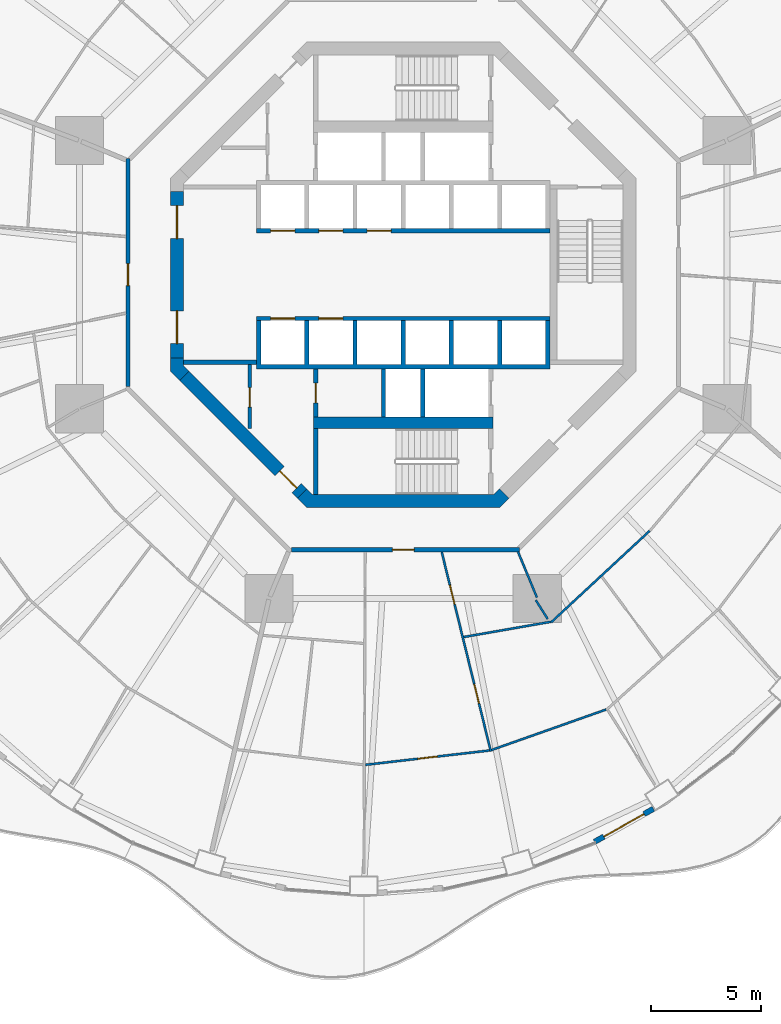
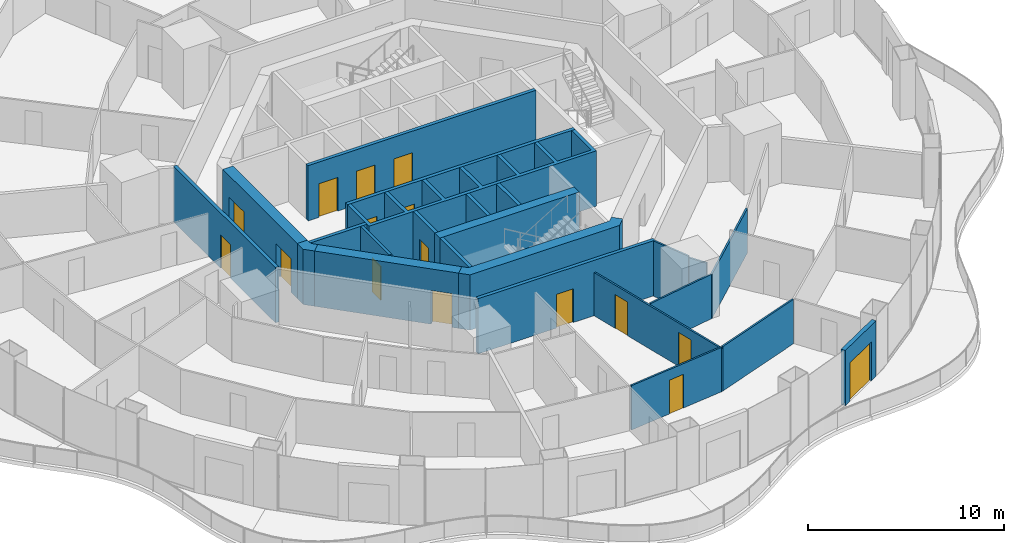
# One storey, part 15 of 22: 24 walls, 16 doors, 16 openings.
"""IFC4 building model written with IfcOpenShell, lengths in metres."""

from ifc_helpers import new_model, si_unit, direction, frame, frame_2d, origin, place, context, subcontext, project, spatial, polyline, rectangle, outline, extrude, material, layer, layer_set, type_object, element, fill, save


model = new_model("IFC4")

# Units and contexts
model_context = context("Model", 3, precision=1e-05, world=origin(), true_north=direction((0.0, 1.0)))
body_context = subcontext(model_context, "Body", "Model", "MODEL_VIEW")
ifc_project = project(units=[si_unit("LENGTHUNIT", "METRE"), si_unit("AREAUNIT", "SQUARE_METRE"), si_unit("VOLUMEUNIT", "CUBIC_METRE"), si_unit("PLANEANGLEUNIT", "RADIAN"), si_unit("MASSUNIT", "GRAM", prefix="KILO")], contexts=[model_context])

# Site, building, storey
site_placement = place(None, origin())
site = spatial("IfcSite", under=ifc_project, at=site_placement, CompositionType="ELEMENT")
building_placement = place(site_placement, origin())
building = spatial("IfcBuilding", under=site, at=building_placement, Name="Nagisa Residences", CompositionType="ELEMENT")
storey_placement = place(building_placement, frame((0.0, 0.0, 77.0)))
storey = spatial("IfcBuildingStorey", under=building, at=storey_placement, Name="L18", CompositionType="ELEMENT", Elevation=77.0)

# Wall, opening, door
ifc_material_1 = material(Name="Gypsum board on steel studs", Category="steel")
ifc_layer_1 = layer(ifc_material_1, 0.199951171875)
ifc_layer_set_1 = layer_set([ifc_layer_1], Name="Apartment entry wall EI60 200")
wall_type_1 = type_object("IfcWallType", Name="Apartment entry wall EI60 200", PredefinedType="PARTITIONING", material=ifc_layer_set_1)
wall_1_placement = place(storey_placement, frame((-12.564697265625, 5.304443359375, 0.0), z_axis=(0.0, 0.0, 1.0), x_axis=(0.0, -1.0, 0.0)))
wall_1 = element("IfcWall", 1, at=wall_1_placement, inside=storey, type_object=wall_type_1, Name="wall:L18:u12", PredefinedType="PARTITIONING", context=body_context, shape_type="SweptSolid", body=[
    extrude(rectangle(XDim=10.408935546875, YDim=0.199951171875, at=frame_2d((5.20458984375, 0.0))), origin(), (0.0, 0.0, 1.0), 3.43994140625),
])
opening_1_placement = place(wall_1_placement, frame((4.804443359375, 0.0, 0.0)))
opening_1 = element("IfcOpeningElement", 2, at=opening_1_placement, cuts=wall_1, Name="Opening L18-U22", PredefinedType="OPENING", context=body_context, shape_type="SweptSolid", body=[
    extrude(rectangle(XDim=1.0, YDim=2.10009765625, at=frame_2d((0.5, 1.050048828125))), frame((0.0, 0.10986328125, 0.0), z_axis=(0.0, -1.0, 0.0), x_axis=(1.0, 0.0, 0.0)), (0.0, 0.0, 1.0), 0.219970703125),
])
ifc_material_2 = material(Name="Timber fire door set", Category="wood")
door_type_1 = type_object("IfcDoorType", Name="Apartment entry door FD30S 1000x2100", OperationType="NOTDEFINED", PredefinedType="DOOR", material=ifc_material_2)
door_1_placement = place(opening_1_placement, frame((1.0, 0.0, 0.0), x_axis=(-1.0, 0.0, 0.0)))
door_1 = element("IfcDoor", 3, at=door_1_placement, inside=storey, type_object=door_type_1, Name="Entry door, Apartment 18B", OperationType="SINGLE_SWING_LEFT", OverallHeight=2.10009765625, OverallWidth=1.0, PredefinedType="DOOR", context=body_context, shape_type="SweptSolid", body=[
    extrude(rectangle(XDim=1.0, YDim=2.10009765625, at=frame_2d((0.5, 1.050048828125))), frame((0.0, 0.02490234375, 0.0), z_axis=(0.0, -1.0, 0.0), x_axis=(1.0, 0.0, 0.0)), (0.0, 0.0, 1.0), 0.050048828125),
])
fill(opening_1, door_1)

wall_2_placement = place(storey_placement, frame((-5.1044921875, -12.564697265625, 0.0), z_axis=(0.0, 0.0, 1.0), x_axis=(1.0, 0.0, 0.0)))
wall_2 = element("IfcWall", 4, at=wall_2_placement, inside=storey, type_object=wall_type_1, Name="wall:L18:u14", PredefinedType="PARTITIONING", context=body_context, shape_type="SweptSolid", body=[
    extrude(rectangle(XDim=10.408935546875, YDim=0.199951171875, at=frame_2d((5.20458984375, 0.0))), origin(), (0.0, 0.0, 1.0), 3.43994140625),
])
opening_2_placement = place(wall_2_placement, frame((4.6044921875, 0.0, 0.0)))
opening_2 = element("IfcOpeningElement", 5, at=opening_2_placement, cuts=wall_2, Name="Opening L18-U36", PredefinedType="OPENING", context=body_context, shape_type="SweptSolid", body=[
    extrude(rectangle(XDim=1.0, YDim=2.10009765625, at=frame_2d((0.5, 1.050048828125))), frame((0.0, 0.10986328125, 0.0), z_axis=(0.0, -1.0, 0.0), x_axis=(1.0, 0.0, 0.0)), (0.0, 0.0, 1.0), 0.219970703125),
])
door_2_placement = place(opening_2_placement, frame((1.0, 0.0, 0.0), x_axis=(-1.0, 0.0, 0.0)))
door_2 = element("IfcDoor", 6, at=door_2_placement, inside=storey, type_object=door_type_1, Name="Entry door, Apartment 18C", OperationType="SINGLE_SWING_LEFT", OverallHeight=2.10009765625, OverallWidth=1.0, PredefinedType="DOOR", context=body_context, shape_type="SweptSolid", body=[
    extrude(rectangle(XDim=1.0, YDim=2.10009765625, at=frame_2d((0.5, 1.050048828125))), frame((0.0, 0.02490234375, 0.0), z_axis=(0.0, -1.0, 0.0), x_axis=(1.0, 0.0, 0.0)), (0.0, 0.0, 1.0), 0.050048828125),
])
fill(opening_2, door_2)

ifc_material_3 = material(Name="Gypsum board on steel studs", Category="steel")
ifc_layer_2 = layer(ifc_material_3, 0.10009765625)
ifc_layer_set_2 = layer_set([ifc_layer_2], Name="Apartment partition 100")
wall_type_2 = type_object("IfcWallType", Name="Apartment partition 100", PredefinedType="PARTITIONING", material=ifc_layer_set_2)
wall_3_placement = place(storey_placement, frame((-1.7255859375, -22.375244140625, 0.0), z_axis=(0.0, 0.0, 1.0), x_axis=(0.99339223329, 0.114768771187, 0.0)))
wall_3 = element("IfcWall", 7, at=wall_3_placement, inside=storey, type_object=wall_type_2, Name="wall:L18:u77", PredefinedType="PARTITIONING", context=body_context, shape_type="SweptSolid", body=[
    extrude(rectangle(XDim=5.700927734375, YDim=0.10009765625, at=frame_2d((2.8505859375, 0.0))), origin(), (0.0, 0.0, 1.0), 2.761962890625),
])
opening_3_placement = place(wall_3_placement, frame((2.400390625, 0.0, 0.0)))
opening_3 = element("IfcOpeningElement", 8, at=opening_3_placement, cuts=wall_3, Name="Opening L18-U42", PredefinedType="OPENING", context=body_context, shape_type="SweptSolid", body=[
    extrude(rectangle(XDim=0.89990234375, YDim=2.10009765625, at=frame_2d((0.449951171875, 1.050048828125))), frame((0.0, 0.06005859375, 0.0), z_axis=(0.0, -1.0, 0.0), x_axis=(1.0, 0.0, 0.0)), (0.0, 0.0, 1.0), 0.1201171875),
])
ifc_material_4 = material(Name="Timber door set", Category="wood")
door_type_2 = type_object("IfcDoorType", Name="Apartment door 900x2100", OperationType="NOTDEFINED", PredefinedType="DOOR", material=ifc_material_4)
door_3_placement = place(opening_3_placement, frame((0.89990234375, 0.0, 0.0), x_axis=(-1.0, 0.0, 0.0)))
door_3 = element("IfcDoor", 9, at=door_3_placement, inside=storey, type_object=door_type_2, Name="Door to living room, Apartment 18C", OperationType="SINGLE_SWING_LEFT", OverallHeight=2.10009765625, OverallWidth=0.89990234375, PredefinedType="DOOR", context=body_context, shape_type="SweptSolid", body=[
    extrude(rectangle(XDim=0.89990234375, YDim=2.10009765625, at=frame_2d((0.449951171875, 1.050048828125))), frame((0.0, 0.02490234375, 0.0), z_axis=(0.0, -1.0, 0.0), x_axis=(1.0, 0.0, 0.0)), (0.0, 0.0, 1.0), 0.050048828125),
])
fill(opening_3, door_3)

# Wall, openings, doors
wall_4_placement = place(storey_placement, frame((1.7587890625, -12.661865234375, 0.0), z_axis=(0.0, 0.0, 1.0), x_axis=(0.239022447434, -0.971014041929, 0.0)))
wall_4 = element("IfcWall", 10, at=wall_4_placement, inside=storey, type_object=wall_type_2, Name="wall:L18:u78", PredefinedType="PARTITIONING", context=body_context, shape_type="SweptSolid", body=[
    extrude(rectangle(XDim=9.37353515625, YDim=0.10009765625, at=frame_2d((4.686767578125, 0.0))), origin(), (0.0, 0.0, 1.0), 2.68701171875),
])
opening_4_placement = place(wall_4_placement, frame((1.552001953125, 0.0, 0.0)))
opening_4 = element("IfcOpeningElement", 11, at=opening_4_placement, cuts=wall_4, Name="Opening L18-U38", PredefinedType="OPENING", context=body_context, shape_type="SweptSolid", body=[
    extrude(rectangle(XDim=0.89990234375, YDim=2.10009765625, at=frame_2d((0.449951171875, 1.050048828125))), frame((0.0, 0.06005859375, 0.0), z_axis=(0.0, -1.0, 0.0), x_axis=(1.0, 0.0, 0.0)), (0.0, 0.0, 1.0), 0.1201171875),
])
opening_5_placement = place(wall_4_placement, frame((6.213623046875, 0.0, 0.0)))
opening_5 = element("IfcOpeningElement", 12, at=opening_5_placement, cuts=wall_4, Name="Opening L18-U40", PredefinedType="OPENING", context=body_context, shape_type="SweptSolid", body=[
    extrude(rectangle(XDim=0.89990234375, YDim=2.10009765625, at=frame_2d((0.449951171875, 1.050048828125))), frame((0.0, 0.06005859375, 0.0), z_axis=(0.0, -1.0, 0.0), x_axis=(1.0, 0.0, 0.0)), (0.0, 0.0, 1.0), 0.1201171875),
])
door_4_placement = place(opening_4_placement, origin())
door_4 = element("IfcDoor", 13, at=door_4_placement, inside=storey, type_object=door_type_2, Name="Door to family bathroom, Apartment 18C", OperationType="SINGLE_SWING_RIGHT", OverallHeight=2.10009765625, OverallWidth=0.89990234375, PredefinedType="DOOR", context=body_context, shape_type="SweptSolid", body=[
    extrude(rectangle(XDim=0.89990234375, YDim=2.10009765625, at=frame_2d((0.449951171875, 1.050048828125))), frame((0.0, 0.02490234375, 0.0), z_axis=(0.0, -1.0, 0.0), x_axis=(1.0, 0.0, 0.0)), (0.0, 0.0, 1.0), 0.050048828125),
])
fill(opening_4, door_4)
door_5_placement = place(opening_5_placement, origin())
door_5 = element("IfcDoor", 14, at=door_5_placement, inside=storey, type_object=door_type_2, Name="Door to dining room, Apartment 18C", OperationType="SINGLE_SWING_RIGHT", OverallHeight=2.10009765625, OverallWidth=0.89990234375, PredefinedType="DOOR", context=body_context, shape_type="SweptSolid", body=[
    extrude(rectangle(XDim=0.89990234375, YDim=2.10009765625, at=frame_2d((0.449951171875, 1.050048828125))), frame((0.0, 0.02490234375, 0.0), z_axis=(0.0, -1.0, 0.0), x_axis=(1.0, 0.0, 0.0)), (0.0, 0.0, 1.0), 0.050048828125),
])
fill(opening_5, door_5)

# Walls
wall_5_placement = place(storey_placement, frame((2.76513671875, -16.541015625, 0.0), z_axis=(0.0, 0.0, 1.0), x_axis=(0.985002709003, 0.172538874623, 0.0)))
element("IfcWall", 15, at=wall_5_placement, inside=storey, type_object=wall_type_2, Name="wall:L18:u79", PredefinedType="PARTITIONING", context=body_context, shape_type="SweptSolid", body=[
    extrude(rectangle(XDim=4.0341796875, YDim=0.10009765625, at=frame_2d((2.01708984375, 0.0))), origin(), (0.0, 0.0, 1.0), 2.761962890625),
])
wall_6_placement = place(storey_placement, frame((4.034423828125, -21.698486328125, 0.0), z_axis=(0.0, 0.0, 1.0), x_axis=(0.942864271692, 0.333177077794, 0.0)))
element("IfcWall", 16, at=wall_6_placement, inside=storey, type_object=wall_type_2, Name="wall:L18:u80", PredefinedType="PARTITIONING", context=body_context, shape_type="SweptSolid", body=[
    extrude(rectangle(XDim=5.544921875, YDim=0.10009765625, at=frame_2d((2.7724609375, 0.0))), origin(), (0.0, 0.0, 1.0), 2.761962890625),
])
wall_7_placement = place(storey_placement, frame((5.24267578125, -12.6572265625, 0.0), z_axis=(0.0, 0.0, 1.0), x_axis=(0.382719158442, -0.923864733477, 0.0)))
element("IfcWall", 17, at=wall_7_placement, inside=storey, type_object=wall_type_2, Name="wall:L18:u81", PredefinedType="PARTITIONING", context=body_context, shape_type="SweptSolid", body=[
    extrude(rectangle(XDim=2.25, YDim=0.10009765625, at=frame_2d((1.125, 0.0))), origin(), (0.0, 0.0, 1.0), 3.43994140625),
])
wall_8_placement = place(storey_placement, frame((6.751220703125, -15.870361328125, 0.0), z_axis=(0.0, 0.0, 1.0), x_axis=(0.733003105791, 0.680225291283, 0.0)))
element("IfcWall", 18, at=wall_8_placement, inside=storey, type_object=wall_type_2, Name="wall:L18:u82", PredefinedType="PARTITIONING", context=body_context, shape_type="SweptSolid", body=[
    extrude(rectangle(XDim=6.138427734375, YDim=0.10009765625, at=frame_2d((3.0693359375, 0.0))), origin(), (0.0, 0.0, 1.0), 2.761962890625),
])
wall_9_placement = place(storey_placement, frame((6.050537109375, -14.854736328125, 0.0), z_axis=(0.0, 0.0, 1.0), x_axis=(0.533542828537, -0.845773048824, 0.0)))
element("IfcWall", 19, at=wall_9_placement, inside=storey, type_object=wall_type_2, Name="wall:L18:u93", PredefinedType="PARTITIONING", context=body_context, shape_type="SweptSolid", body=[
    extrude(rectangle(XDim=1.0205078125, YDim=0.10009765625, at=frame_2d((0.51025390625, 0.0))), origin(), (0.0, 0.0, 1.0), 3.43994140625),
])

# Wall, opening, door
ifc_material_5 = material(Name="Precast concrete C40/50", Category="concrete")
ifc_layer_3 = layer(ifc_material_5, 0.25)
ifc_layer_set_3 = layer_set([ifc_layer_3], Name="BALCONY DOOR WALL 250")
wall_type_3 = type_object("IfcWallType", Name="BALCONY DOOR WALL 250", PredefinedType="SOLIDWALL", material=ifc_layer_set_3)
wall_10_placement = place(storey_placement, frame((11.41943359375, -24.38427734375, 0.0), z_axis=(0.0, 0.0, 1.0), x_axis=(-0.872071158476, -0.489379090843, 0.0)))
wall_10 = element("IfcWall", 20, at=wall_10_placement, inside=storey, type_object=wall_type_3, Name="wall:L18:bay39", PredefinedType="SOLIDWALL", context=body_context, shape_type="SweptSolid", body=[
    extrude(rectangle(XDim=3.07568359375, YDim=0.25, at=frame_2d((1.537841796875, 0.0))), origin(), (0.0, 0.0, 1.0), 3.43994140625),
])
opening_6_placement = place(wall_10_placement, frame((0.48779296875, 0.0, 0.0)))
opening_6 = element("IfcOpeningElement", 21, at=opening_6_placement, cuts=wall_10, Name="Opening BD-L18-14", PredefinedType="OPENING", context=body_context, shape_type="SweptSolid", body=[
    extrude(rectangle(XDim=2.10009765625, YDim=2.39990234375, at=frame_2d((1.050048828125, 1.199951171875))), frame((0.0, 0.135009765625, 0.0), z_axis=(0.0, -1.0, 0.0), x_axis=(1.0, 0.0, 0.0)), (0.0, 0.0, 1.0), 0.27001953125),
])
ifc_material_6 = material(Name="Aluminium and clear glass", Category="aluminium")
door_type_3 = type_object("IfcDoorType", Name="BALCONY SLIDING DOOR 2100x2400", OperationType="SLIDING_TO_LEFT", PredefinedType="DOOR", material=ifc_material_6)
door_6_placement = place(opening_6_placement, origin())
door_6 = element("IfcDoor", 22, at=door_6_placement, inside=storey, type_object=door_type_3, Name="door:L18:bay39", OperationType="SLIDING_TO_LEFT", OverallHeight=2.39990234375, OverallWidth=2.10009765625, PredefinedType="DOOR", context=body_context, shape_type="SweptSolid", body=[
    extrude(rectangle(XDim=2.10009765625, YDim=2.39990234375, at=frame_2d((1.050048828125, 1.199951171875))), frame((0.0, 0.02490234375, 0.0), z_axis=(0.0, -1.0, 0.0), x_axis=(1.0, 0.0, 0.0)), (0.0, 0.0, 1.0), 0.050048828125),
])
fill(opening_6, door_6)

ifc_material_7 = material(Name="Gypsum board on steel studs", Category="steel")
ifc_layer_4 = layer(ifc_material_7, 0.14990234375)
ifc_layer_set_4 = layer_set([ifc_layer_4], Name="Core partition 150")
wall_type_4 = type_object("IfcWallType", Name="Core partition 150", PredefinedType="PARTITIONING", material=ifc_layer_set_4)
wall_11_placement = place(storey_placement, frame((-7.0, -7.02685546875, 0.0), z_axis=(0.0, 0.0, 1.0), x_axis=(0.0, 1.0, 0.0)))
wall_11 = element("IfcWall", 23, at=wall_11_placement, inside=storey, type_object=wall_type_4, Name="wall:L18:SWp", PredefinedType="PARTITIONING", context=body_context, shape_type="SweptSolid", body=[
    extrude(rectangle(XDim=2.9267578125, YDim=0.14990234375, at=frame_2d((1.46337890625, 0.0))), origin(), (0.0, 0.0, 1.0), 3.43994140625),
])
opening_7_placement = place(wall_11_placement, frame((0.97607421875, 0.0, 0.0)))
opening_7 = element("IfcOpeningElement", 24, at=opening_7_placement, cuts=wall_11, Name="Opening L18-C14", PredefinedType="OPENING", context=body_context, shape_type="SweptSolid", body=[
    extrude(rectangle(XDim=0.89990234375, YDim=2.10009765625, at=frame_2d((0.449951171875, 1.050048828125))), frame((0.0, 0.0849609375, 0.0), z_axis=(0.0, -1.0, 0.0), x_axis=(1.0, 0.0, 0.0)), (0.0, 0.0, 1.0), 0.169921875),
])
ifc_material_8 = material(Name="Steel fire door", Category="steel")
door_type_4 = type_object("IfcDoorType", Name="Fire door EI30 900x2100 single swing", OperationType="NOTDEFINED", PredefinedType="DOOR", material=ifc_material_8)
door_7_placement = place(opening_7_placement, origin())
door_7 = element("IfcDoor", 25, at=door_7_placement, inside=storey, type_object=door_type_4, Name="Refuse room door L18", OperationType="SINGLE_SWING_LEFT", OverallHeight=2.10009765625, OverallWidth=0.89990234375, PredefinedType="DOOR", context=body_context, shape_type="SweptSolid", body=[
    extrude(rectangle(XDim=0.89990234375, YDim=2.10009765625, at=frame_2d((0.449951171875, 1.050048828125))), frame((0.0, 0.02490234375, 0.0), z_axis=(0.0, -1.0, 0.0), x_axis=(1.0, 0.0, 0.0)), (0.0, 0.0, 1.0), 0.050048828125),
])
fill(opening_7, door_7)

# Wall
ifc_material_9 = material(Name="Gypsum board on steel studs", Category="steel")
ifc_layer_5 = layer(ifc_material_9, 0.199951171875)
ifc_layer_set_5 = layer_set([ifc_layer_5], Name="Core partition 200")
wall_type_5 = type_object("IfcWallType", Name="Core partition 200", PredefinedType="PARTITIONING", material=ifc_layer_set_5)
wall_12_placement = place(storey_placement, frame((-10.024658203125, -4.0, 0.0), z_axis=(0.0, 0.0, 1.0), x_axis=(1.0, 0.0, 0.0)))
element("IfcWall", 26, at=wall_12_placement, inside=storey, type_object=wall_type_5, Name="wall:L18:PSW", PredefinedType="PARTITIONING", context=body_context, shape_type="SweptSolid", body=[
    extrude(rectangle(XDim=3.32470703125, YDim=0.199951171875, at=frame_2d((1.662353515625, 0.0))), origin(), (0.0, 0.0, 1.0), 3.43994140625),
])

# Wall, openings, doors
ifc_material_10 = material(Name="Concrete C60", Category="concrete")
ifc_layer_6 = layer(ifc_material_10, 0.60009765625)
ifc_layer_set_6 = layer_set([ifc_layer_6], Name="Core shear wall 600")
wall_type_6 = type_object("IfcWallType", Name="Core shear wall 600", PredefinedType="SHEAR", material=ifc_layer_set_6)
wall_13_placement = place(storey_placement, frame((-10.32470703125, 3.80078125, 0.0), z_axis=(0.0, 0.0, 1.0), x_axis=(0.0, -1.0, 0.0)))
wall_13 = element("IfcWall", 27, at=wall_13_placement, inside=storey, type_object=wall_type_6, Name="wall:L18:core:flat4", PredefinedType="SHEAR", context=body_context, shape_type="SweptSolid", body=[
    extrude(rectangle(XDim=7.6015625, YDim=0.60009765625, at=frame_2d((3.80078125, 0.0))), origin(), (0.0, 0.0, 1.0), 3.43994140625),
])
opening_8_placement = place(wall_13_placement, frame((0.65087890625, 0.0, 0.0)))
opening_8 = element("IfcOpeningElement", 28, at=opening_8_placement, cuts=wall_13, Name="Opening L18-C18", PredefinedType="OPENING", context=body_context, shape_type="SweptSolid", body=[
    extrude(rectangle(XDim=1.5, YDim=2.10009765625, at=frame_2d((0.75, 1.050048828125))), frame((0.0, 0.31005859375, 0.0), z_axis=(0.0, -1.0, 0.0), x_axis=(1.0, 0.0, 0.0)), (0.0, 0.0, 1.0), 0.6201171875),
])
opening_9_placement = place(wall_13_placement, frame((5.450927734375, 0.0, 0.0)))
opening_9 = element("IfcOpeningElement", 29, at=opening_9_placement, cuts=wall_13, Name="Opening L18-C19", PredefinedType="OPENING", context=body_context, shape_type="SweptSolid", body=[
    extrude(rectangle(XDim=1.5, YDim=2.10009765625, at=frame_2d((0.75, 1.050048828125))), frame((0.0, 0.31005859375, 0.0), z_axis=(0.0, -1.0, 0.0), x_axis=(1.0, 0.0, 0.0)), (0.0, 0.0, 1.0), 0.6201171875),
])
ifc_material_11 = material(Name="Steel fire door", Category="steel")
door_type_5 = type_object("IfcDoorType", Name="Fire door EI60 1500x2100 double door single swing", OperationType="DOUBLE_DOOR_SINGLE_SWING", PredefinedType="DOOR", material=ifc_material_11)
door_8_placement = place(opening_8_placement, origin())
door_8 = element("IfcDoor", 30, at=door_8_placement, inside=storey, type_object=door_type_5, Name="Lift lobby door L18 1", OperationType="DOUBLE_DOOR_SINGLE_SWING", OverallHeight=2.10009765625, OverallWidth=1.5, PredefinedType="DOOR", context=body_context, shape_type="SweptSolid", body=[
    extrude(rectangle(XDim=1.5, YDim=2.10009765625, at=frame_2d((0.75, 1.050048828125))), frame((0.0, 0.02490234375, 0.0), z_axis=(0.0, -1.0, 0.0), x_axis=(1.0, 0.0, 0.0)), (0.0, 0.0, 1.0), 0.050048828125),
])
fill(opening_8, door_8)
door_9_placement = place(opening_9_placement, origin())
door_9 = element("IfcDoor", 31, at=door_9_placement, inside=storey, type_object=door_type_5, Name="Lift lobby door L18 2", OperationType="DOUBLE_DOOR_SINGLE_SWING", OverallHeight=2.10009765625, OverallWidth=1.5, PredefinedType="DOOR", context=body_context, shape_type="SweptSolid", body=[
    extrude(rectangle(XDim=1.5, YDim=2.10009765625, at=frame_2d((0.75, 1.050048828125))), frame((0.0, 0.02490234375, 0.0), z_axis=(0.0, -1.0, 0.0), x_axis=(1.0, 0.0, 0.0)), (0.0, 0.0, 1.0), 0.050048828125),
])
fill(opening_9, door_9)

# Wall, opening, door
wall_14_placement = place(storey_placement, frame((-9.98828125, -4.613037109375, 0.0), z_axis=(0.0, 0.0, 1.0), x_axis=(0.707106781187, -0.707106781187, 0.0)))
wall_14 = element("IfcWall", 32, at=wall_14_placement, inside=storey, type_object=wall_type_6, Name="wall:L18:core:flat5", PredefinedType="SHEAR", context=body_context, shape_type="SweptSolid", body=[
    extrude(rectangle(XDim=7.601806640625, YDim=0.60009765625, at=frame_2d((3.80078125, 0.0))), origin(), (0.0, 0.0, 1.0), 3.43994140625),
])
opening_10_placement = place(wall_14_placement, frame((6.15087890625, 0.0, 0.0)))
opening_10 = element("IfcOpeningElement", 33, at=opening_10_placement, cuts=wall_14, Name="Opening L18-C21", PredefinedType="OPENING", context=body_context, shape_type="SweptSolid", body=[
    extrude(rectangle(XDim=1.10009765625, YDim=2.10009765625, at=frame_2d((0.550048828125, 1.050048828125))), frame((0.0, 0.31005859375, 0.0), z_axis=(0.0, -1.0, 0.0), x_axis=(1.0, 0.0, 0.0)), (0.0, 0.0, 1.0), 0.6201171875),
])
ifc_material_12 = material(Name="Steel fire door", Category="steel")
door_type_6 = type_object("IfcDoorType", Name="Fire door EI60 1100x2100 single swing", OperationType="NOTDEFINED", PredefinedType="DOOR", material=ifc_material_12)
door_10_placement = place(opening_10_placement, origin())
door_10 = element("IfcDoor", 34, at=door_10_placement, inside=storey, type_object=door_type_6, Name="Housekeeping lobby door L18", OperationType="SINGLE_SWING_LEFT", OverallHeight=2.10009765625, OverallWidth=1.10009765625, PredefinedType="DOOR", context=body_context, shape_type="SweptSolid", body=[
    extrude(rectangle(XDim=1.10009765625, YDim=2.10009765625, at=frame_2d((0.550048828125, 1.050048828125))), frame((0.0, 0.02490234375, 0.0), z_axis=(0.0, -1.0, 0.0), x_axis=(1.0, 0.0, 0.0)), (0.0, 0.0, 1.0), 0.050048828125),
])
fill(opening_10, door_10)

# Walls
wall_15_placement = place(storey_placement, origin())
element("IfcWall", 35, at=wall_15_placement, inside=storey, type_object=wall_type_6, Name="wall:L18:core:pier4", PredefinedType="SHEAR", context=body_context, shape_type="SweptSolid", body=[
    extrude(outline(polyline([(-10.62451171875, -3.80078125), (-10.024658203125, -3.80078125), (-10.024658203125, -4.15234375), (-9.776123046875, -4.40087890625), (-10.200439453125, -4.8251953125), (-10.62451171875, -4.40087890625), (-10.62451171875, -3.80078125)])), origin(), (0.0, 0.0, 1.0), 3.43994140625),
])
wall_16_placement = place(storey_placement, origin())
element("IfcWall", 36, at=wall_16_placement, inside=storey, type_object=wall_type_6, Name="wall:L18:core:flat6", PredefinedType="SHEAR", context=body_context, shape_type="SweptSolid", body=[
    extrude(outline(polyline([(-4.15234375, -10.024658203125), (4.15234375, -10.024658203125), (4.40087890625, -9.776123046875), (4.8251953125, -10.200439453125), (4.40087890625, -10.62451171875), (-4.40087890625, -10.62451171875), (-4.8251953125, -10.200439453125), (-4.40087890625, -9.776123046875), (-4.15234375, -10.024658203125)])), origin(), (0.0, 0.0, 1.0), 3.43994140625),
])

# Wall, openings, doors
ifc_material_13 = material(Name="Concrete C60", Category="concrete")
ifc_layer_7 = layer(ifc_material_13, 0.199951171875)
ifc_layer_set_7 = layer_set([ifc_layer_7], Name="Lift shaft wall 200")
wall_type_7 = type_object("IfcWallType", Name="Lift shaft wall 200", PredefinedType="SOLIDWALL", material=ifc_layer_set_7)
wall_17_placement = place(storey_placement, frame((-6.699951171875, 2.0, 0.0), z_axis=(0.0, 0.0, 1.0), x_axis=(1.0, 0.0, 0.0)))
wall_17 = element("IfcWall", 37, at=wall_17_placement, inside=storey, type_object=wall_type_7, Name="wall:L18:Nfront", PredefinedType="SOLIDWALL", context=body_context, shape_type="SweptSolid", body=[
    extrude(rectangle(XDim=13.39990234375, YDim=0.199951171875, at=frame_2d((6.699951171875, 0.0))), origin(), (0.0, 0.0, 1.0), 3.43994140625),
])
opening_11_placement = place(wall_17_placement, frame((0.64990234375, 0.0, 0.0)))
opening_11 = element("IfcOpeningElement", 38, at=opening_11_placement, cuts=wall_17, Name="Opening L18-C01", PredefinedType="OPENING", context=body_context, shape_type="SweptSolid", body=[
    extrude(rectangle(XDim=1.10009765625, YDim=2.10009765625, at=frame_2d((0.550048828125, 1.050048828125))), frame((0.0, 0.10986328125, 0.0), z_axis=(0.0, -1.0, 0.0), x_axis=(1.0, 0.0, 0.0)), (0.0, 0.0, 1.0), 0.219970703125),
])
opening_12_placement = place(wall_17_placement, frame((2.85009765625, 0.0, 0.0)))
opening_12 = element("IfcOpeningElement", 39, at=opening_12_placement, cuts=wall_17, Name="Opening L18-C02", PredefinedType="OPENING", context=body_context, shape_type="SweptSolid", body=[
    extrude(rectangle(XDim=1.10009765625, YDim=2.10009765625, at=frame_2d((0.550048828125, 1.050048828125))), frame((0.0, 0.10986328125, 0.0), z_axis=(0.0, -1.0, 0.0), x_axis=(1.0, 0.0, 0.0)), (0.0, 0.0, 1.0), 0.219970703125),
])
opening_13_placement = place(wall_17_placement, frame((5.050048828125, 0.0, 0.0)))
opening_13 = element("IfcOpeningElement", 40, at=opening_13_placement, cuts=wall_17, Name="Opening L18-C03", PredefinedType="OPENING", context=body_context, shape_type="SweptSolid", body=[
    extrude(rectangle(XDim=1.10009765625, YDim=2.10009765625, at=frame_2d((0.550048828125, 1.050048828125))), frame((0.0, 0.10986328125, 0.0), z_axis=(0.0, -1.0, 0.0), x_axis=(1.0, 0.0, 0.0)), (0.0, 0.0, 1.0), 0.219970703125),
])
ifc_material_14 = material(Name="Stainless steel", Category="steel")
door_type_7 = type_object("IfcDoorType", Name="Lift landing door 1100x2100", OperationType="DOUBLE_DOOR_SLIDING", PredefinedType="DOOR", material=ifc_material_14)
door_11_placement = place(opening_11_placement, origin())
door_11 = element("IfcDoor", 41, at=door_11_placement, inside=storey, type_object=door_type_7, Name="Landing door A1 L18", OperationType="DOUBLE_DOOR_SLIDING", OverallHeight=2.10009765625, OverallWidth=1.10009765625, PredefinedType="DOOR", context=body_context, shape_type="SweptSolid", body=[
    extrude(rectangle(XDim=1.10009765625, YDim=2.10009765625, at=frame_2d((0.550048828125, 1.050048828125))), frame((0.0, 0.02490234375, 0.0), z_axis=(0.0, -1.0, 0.0), x_axis=(1.0, 0.0, 0.0)), (0.0, 0.0, 1.0), 0.050048828125),
])
fill(opening_11, door_11)
door_12_placement = place(opening_12_placement, origin())
door_12 = element("IfcDoor", 42, at=door_12_placement, inside=storey, type_object=door_type_7, Name="Landing door A2 L18", OperationType="DOUBLE_DOOR_SLIDING", OverallHeight=2.10009765625, OverallWidth=1.10009765625, PredefinedType="DOOR", context=body_context, shape_type="SweptSolid", body=[
    extrude(rectangle(XDim=1.10009765625, YDim=2.10009765625, at=frame_2d((0.550048828125, 1.050048828125))), frame((0.0, 0.02490234375, 0.0), z_axis=(0.0, -1.0, 0.0), x_axis=(1.0, 0.0, 0.0)), (0.0, 0.0, 1.0), 0.050048828125),
])
fill(opening_12, door_12)
door_13_placement = place(opening_13_placement, origin())
door_13 = element("IfcDoor", 43, at=door_13_placement, inside=storey, type_object=door_type_7, Name="Landing door A3 L18", OperationType="DOUBLE_DOOR_SLIDING", OverallHeight=2.10009765625, OverallWidth=1.10009765625, PredefinedType="DOOR", context=body_context, shape_type="SweptSolid", body=[
    extrude(rectangle(XDim=1.10009765625, YDim=2.10009765625, at=frame_2d((0.550048828125, 1.050048828125))), frame((0.0, 0.02490234375, 0.0), z_axis=(0.0, -1.0, 0.0), x_axis=(1.0, 0.0, 0.0)), (0.0, 0.0, 1.0), 0.050048828125),
])
fill(opening_13, door_13)

# Wall, opening, door
wall_18_placement = place(storey_placement, frame((-4.0, -6.5, 0.0), z_axis=(0.0, 0.0, 1.0), x_axis=(0.0, 1.0, 0.0)))
wall_18 = element("IfcWall", 44, at=wall_18_placement, inside=storey, type_object=wall_type_7, Name="wall:L18:Sb4", PredefinedType="SOLIDWALL", context=body_context, shape_type="SweptSolid", body=[
    extrude(rectangle(XDim=2.199951171875, YDim=0.199951171875, at=frame_2d((1.10009765625, 0.0))), origin(), (0.0, 0.0, 1.0), 3.43994140625),
])
opening_14_placement = place(wall_18_placement, frame((0.64990234375, 0.0, 0.0)))
opening_14 = element("IfcOpeningElement", 45, at=opening_14_placement, cuts=wall_18, Name="Opening L18-C15", PredefinedType="OPENING", context=body_context, shape_type="SweptSolid", body=[
    extrude(rectangle(XDim=0.89990234375, YDim=2.10009765625, at=frame_2d((0.449951171875, 1.050048828125))), frame((0.0, 0.10986328125, 0.0), z_axis=(0.0, -1.0, 0.0), x_axis=(1.0, 0.0, 0.0)), (0.0, 0.0, 1.0), 0.219970703125),
])
door_14_placement = place(opening_14_placement, frame((0.89990234375, 0.0, 0.0), x_axis=(-1.0, 0.0, 0.0)))
door_14 = element("IfcDoor", 46, at=door_14_placement, inside=storey, type_object=door_type_4, Name="Refuse room door L18", OperationType="SINGLE_SWING_LEFT", OverallHeight=2.10009765625, OverallWidth=0.89990234375, PredefinedType="DOOR", context=body_context, shape_type="SweptSolid", body=[
    extrude(rectangle(XDim=0.89990234375, YDim=2.10009765625, at=frame_2d((0.449951171875, 1.050048828125))), frame((0.0, 0.02490234375, 0.0), z_axis=(0.0, -1.0, 0.0), x_axis=(1.0, 0.0, 0.0)), (0.0, 0.0, 1.0), 0.050048828125),
])
fill(opening_14, door_14)

# Wall, openings, doors
wall_19_placement = place(storey_placement, frame((-6.699951171875, -2.0, 0.0), z_axis=(0.0, 0.0, 1.0), x_axis=(1.0, 0.0, 0.0)))
wall_19 = element("IfcWall", 47, at=wall_19_placement, inside=storey, type_object=wall_type_7, Name="wall:L18:Sfront", PredefinedType="SOLIDWALL", context=body_context, shape_type="SweptSolid", body=[
    extrude(rectangle(XDim=13.39990234375, YDim=0.199951171875, at=frame_2d((6.699951171875, 0.0))), origin(), (0.0, 0.0, 1.0), 3.43994140625),
])
opening_15_placement = place(wall_19_placement, frame((0.64990234375, 0.0, 0.0)))
opening_15 = element("IfcOpeningElement", 48, at=opening_15_placement, cuts=wall_19, Name="Opening L18-C04", PredefinedType="OPENING", context=body_context, shape_type="SweptSolid", body=[
    extrude(rectangle(XDim=1.10009765625, YDim=2.10009765625, at=frame_2d((0.550048828125, 1.050048828125))), frame((0.0, 0.10986328125, 0.0), z_axis=(0.0, -1.0, 0.0), x_axis=(1.0, 0.0, 0.0)), (0.0, 0.0, 1.0), 0.219970703125),
])
opening_16_placement = place(wall_19_placement, frame((2.85009765625, 0.0, 0.0)))
opening_16 = element("IfcOpeningElement", 49, at=opening_16_placement, cuts=wall_19, Name="Opening L18-C05", PredefinedType="OPENING", context=body_context, shape_type="SweptSolid", body=[
    extrude(rectangle(XDim=1.10009765625, YDim=2.10009765625, at=frame_2d((0.550048828125, 1.050048828125))), frame((0.0, 0.10986328125, 0.0), z_axis=(0.0, -1.0, 0.0), x_axis=(1.0, 0.0, 0.0)), (0.0, 0.0, 1.0), 0.219970703125),
])
door_15_placement = place(opening_15_placement, origin())
door_15 = element("IfcDoor", 50, at=door_15_placement, inside=storey, type_object=door_type_7, Name="Landing door A4 L18", OperationType="DOUBLE_DOOR_SLIDING", OverallHeight=2.10009765625, OverallWidth=1.10009765625, PredefinedType="DOOR", context=body_context, shape_type="SweptSolid", body=[
    extrude(rectangle(XDim=1.10009765625, YDim=2.10009765625, at=frame_2d((0.550048828125, 1.050048828125))), frame((0.0, 0.02490234375, 0.0), z_axis=(0.0, -1.0, 0.0), x_axis=(1.0, 0.0, 0.0)), (0.0, 0.0, 1.0), 0.050048828125),
])
fill(opening_15, door_15)
door_16_placement = place(opening_16_placement, origin())
door_16 = element("IfcDoor", 51, at=door_16_placement, inside=storey, type_object=door_type_7, Name="Landing door A5 L18", OperationType="DOUBLE_DOOR_SLIDING", OverallHeight=2.10009765625, OverallWidth=1.10009765625, PredefinedType="DOOR", context=body_context, shape_type="SweptSolid", body=[
    extrude(rectangle(XDim=1.10009765625, YDim=2.10009765625, at=frame_2d((0.550048828125, 1.050048828125))), frame((0.0, 0.02490234375, 0.0), z_axis=(0.0, -1.0, 0.0), x_axis=(1.0, 0.0, 0.0)), (0.0, 0.0, 1.0), 0.050048828125),
])
fill(opening_16, door_16)

# Walls
for number, where, z_axis, x_axis, name in (
    (52, (-0.89990234375, -6.5, 0.0), (0.0, 0.0, 1.0), (0.0, 1.0, 0.0), "wall:L18:Sb1"),
    (53, (0.89990234375, -6.5, 0.0), (0.0, 0.0, 1.0), (0.0, 1.0, 0.0), "wall:L18:Sb2"),
):
    element("IfcWall", number, at=place(storey_placement, frame(where, z_axis=z_axis, x_axis=x_axis)), inside=storey, type_object=wall_type_7, Name=name, PredefinedType="SOLIDWALL", context=body_context, shape_type="SweptSolid", body=[
        extrude(rectangle(XDim=2.199951171875, YDim=0.199951171875, at=frame_2d((1.10009765625, 0.0))), origin(), (0.0, 0.0, 1.0), 3.43994140625),
    ])
wall_20_placement = place(storey_placement, origin())
element("IfcWall", 54, at=wall_20_placement, inside=storey, type_object=wall_type_7, Name="wall:L18:Sback", PredefinedType="SOLIDWALL", context=body_context, shape_type="SweptSolid", body=[
    extrude(outline(polyline([(-6.699951171875, -2.10009765625), (-6.5, -2.10009765625), (-6.5, -4.10009765625), (-4.5, -4.10009765625), (-4.5, -2.10009765625), (-4.300048828125, -2.10009765625), (-4.300048828125, -4.10009765625), (-2.300048828125, -4.10009765625), (-2.300048828125, -2.10009765625), (-2.10009765625, -2.10009765625), (-2.10009765625, -4.10009765625), (-0.10009765625, -4.10009765625), (-0.10009765625, -2.10009765625), (0.10009765625, -2.10009765625), (0.10009765625, -4.10009765625), (2.10009765625, -4.10009765625), (2.10009765625, -2.10009765625), (2.300048828125, -2.10009765625), (2.300048828125, -4.10009765625), (4.300048828125, -4.10009765625), (4.300048828125, -2.10009765625), (4.5, -2.10009765625), (4.5, -4.10009765625), (6.5, -4.10009765625), (6.5, -2.10009765625), (6.699951171875, -2.10009765625), (6.699951171875, -4.300048828125), (-6.699951171875, -4.300048828125), (-6.699951171875, -2.10009765625)])), origin(), (0.0, 0.0, 1.0), 3.43994140625),
])
ifc_material_15 = material(Name="Concrete C60", Category="concrete")
ifc_layer_8 = layer(ifc_material_15, 0.199951171875)
ifc_layer_set_8 = layer_set([ifc_layer_8], Name="Stair enclosure wall 200")
wall_type_8 = type_object("IfcWallType", Name="Stair enclosure wall 200", PredefinedType="SOLIDWALL", material=ifc_layer_set_8)
wall_21_placement = place(storey_placement, origin())
element("IfcWall", 55, at=wall_21_placement, inside=storey, type_object=wall_type_8, Name="wall:L18:SS_w", PredefinedType="SOLIDWALL", context=body_context, shape_type="SweptSolid", body=[
    extrude(outline(polyline([(-3.89990234375, -10.024658203125), (-4.10009765625, -10.024658203125), (-4.10009765625, -7.024658203125), (-3.89990234375, -7.024658203125), (-3.89990234375, -10.024658203125)])), origin(), (0.0, 0.0, 1.0), 3.43994140625),
])
wall_22_placement = place(storey_placement, origin())
element("IfcWall", 56, at=wall_22_placement, inside=storey, type_object=wall_type_8, Name="wall:L18:SS_n", PredefinedType="SOLIDWALL", context=body_context, shape_type="SweptSolid", body=[
    extrude(outline(polyline([(4.10009765625, -7.024658203125), (-4.10009765625, -7.024658203125), (-4.10009765625, -6.5), (4.10009765625, -6.5), (4.10009765625, -7.024658203125)])), origin(), (0.0, 0.0, 1.0), 3.43994140625),
])

save(model, "model.ifc")
